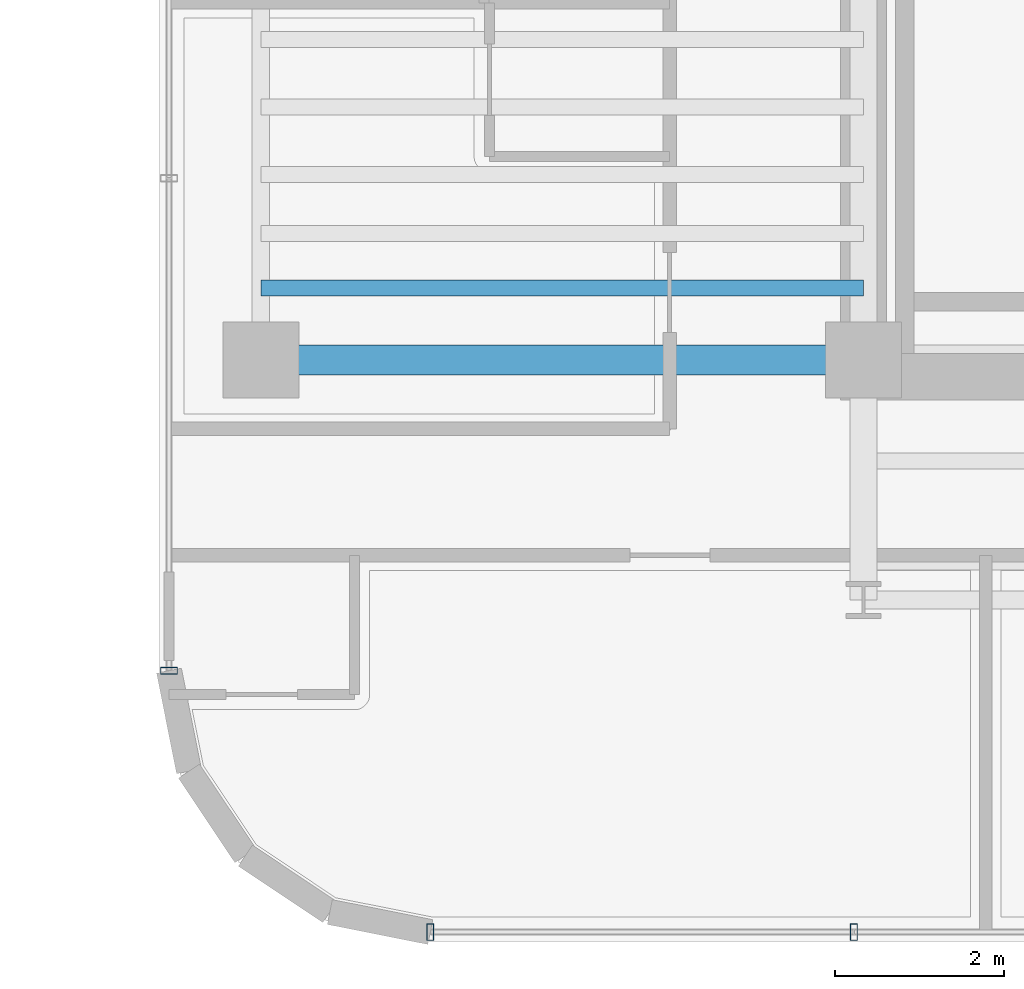
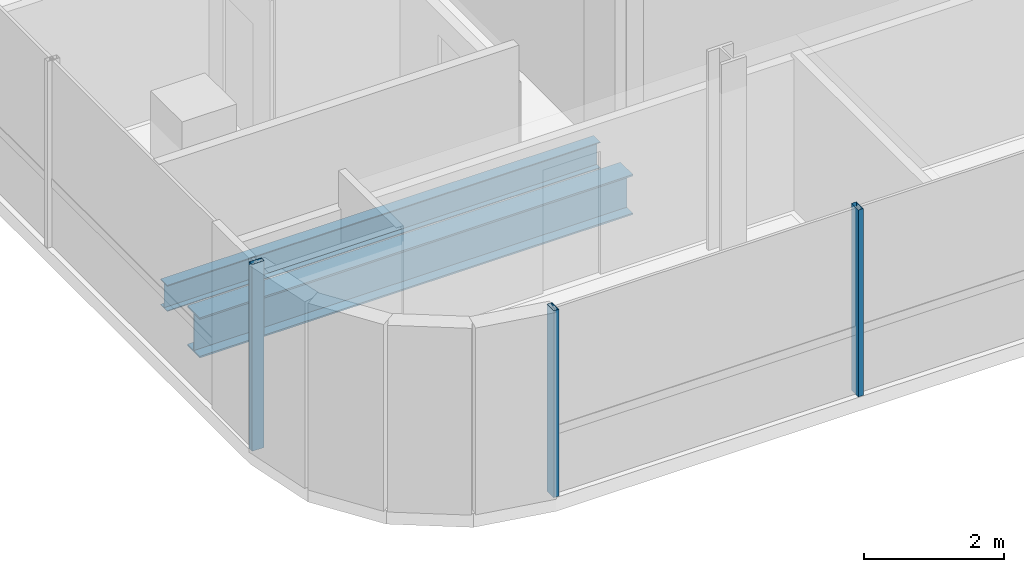
# One storey, part 2 of 22: 3 members, 2 beams, 2 elements without a shape of their own.
"""IFC4 building model written with IfcOpenShell, lengths in metres."""

from ifc_helpers import new_model, si_unit, direction, frame, origin, origin_2d, place, context, subcontext, project, spatial, hollow_rectangle, i_section, extrude, source, transform, mapped, material, material_profile, profile_set, type_object, element, aggregate, save


model = new_model("IFC4")

# Units and contexts
model_context = context("Model", 3, precision=1e-05, world=origin(), true_north=direction((0.0, 1.0)))
body_context = subcontext(model_context, "Body", "Model", "MODEL_VIEW")
ifc_project = project(units=[si_unit("LENGTHUNIT", "METRE"), si_unit("AREAUNIT", "SQUARE_METRE"), si_unit("VOLUMEUNIT", "CUBIC_METRE"), si_unit("PLANEANGLEUNIT", "RADIAN"), si_unit("MASSUNIT", "GRAM", prefix="KILO")], contexts=[model_context])

# Site, building, storey
site_placement = place(None, origin())
site = spatial("IfcSite", under=ifc_project, at=site_placement, CompositionType="ELEMENT")
building_placement = place(site_placement, origin())
building = spatial("IfcBuilding", under=site, at=building_placement, Name="Valdorenza Pilgrim Sanctuary Tower", CompositionType="ELEMENT")
storey_placement = place(building_placement, frame((0.0, 0.0, 212.5)))
storey = spatial("IfcBuildingStorey", under=building, at=storey_placement, Name="L54", CompositionType="ELEMENT", Elevation=212.5)

# Beams
ifc_material_1 = material(Name="Steel ASTM A992 Grade 50", Category="steel")
ifc_material_profile_1 = material_profile(ifc_material_1, i_section(OverallWidth=0.19091796875, OverallDepth=0.45703125, WebThickness=0.009033203125, FlangeThickness=0.014404296875, at=origin_2d()), Name="W18X50")
ifc_profile_set_1 = profile_set([ifc_material_profile_1], Name="Steel ASTM A992 Grade 50")
beam_type_1 = type_object("IfcBeamType", Name="STR-BM-JST-W18B", PredefinedType="JOIST", material=ifc_profile_set_1)
shared_shape_1 = source(origin(), body_context, "Body", "SweptSolid", [
    extrude(i_section(OverallWidth=0.19091796875, OverallDepth=0.45703125, WebThickness=0.009033203125, FlangeThickness=0.014404296875, at=origin_2d()), origin(), (0.0, 0.0, 1.0), 7.150146484375),
])
beam_1_placement = place(storey_placement, frame((-29.800048828125, -9.75, -0.468505859375), z_axis=(1.0, 0.0, 0.0), x_axis=(0.0, 1.0, 0.0)))
element("IfcBeam", 1, at=beam_1_placement, inside=storey, type_object=beam_type_1, Name="L54 Composite Floor Joist JST-WA-1", PredefinedType="JOIST", context=body_context, shape_type="MappedRepresentation", body=[
    mapped(shared_shape_1, transform((0.0, 0.0, 0.0), x_axis=(1.0, 0.0, 0.0), y_axis=(0.0, 1.0, 0.0), z_axis=(0.0, 0.0, 1.0), scale=1.0)),
])
ifc_material_profile_2 = material_profile(ifc_material_1, i_section(OverallWidth=0.35595703125, OverallDepth=0.700927734375, WebThickness=0.016845703125, FlangeThickness=0.02734375, at=origin_2d()), Name="W27X161")
ifc_profile_set_2 = profile_set([ifc_material_profile_2], Name="Steel ASTM A992 Grade 50")
beam_type_2 = type_object("IfcBeamType", Name="STR-BM-GRD-W27", PredefinedType="BEAM", material=ifc_profile_set_2)
shared_shape_2 = source(origin(), body_context, "Body", "SweptSolid", [
    extrude(i_section(OverallWidth=0.35595703125, OverallDepth=0.700927734375, WebThickness=0.016845703125, FlangeThickness=0.02734375, at=origin_2d()), origin(), (0.0, 0.0, 1.0), 7.150146484375),
])
beam_2_placement = place(storey_placement, frame((-29.800048828125, -10.60009765625, -0.590576171875), z_axis=(1.0, 0.0, 0.0), x_axis=(0.0, 1.0, 0.0)))
element("IfcBeam", 2, at=beam_2_placement, inside=storey, type_object=beam_type_2, Name="L54 Floor Girder WA-XW-S1", PredefinedType="BEAM", context=body_context, shape_type="MappedRepresentation", body=[
    mapped(shared_shape_2, transform((0.0, 0.0, 0.0), x_axis=(1.0, 0.0, 0.0), y_axis=(0.0, 1.0, 0.0), z_axis=(0.0, 0.0, 1.0), scale=1.0)),
])

# Curtain wall, member
ifc_material_2 = material(Name="Curtain-wall IGU glazing", Category="glass")
curtain_wall_type = type_object("IfcCurtainWallType", Name="CW-SYS-02", PredefinedType="NOTDEFINED", material=ifc_material_2)
curtain_wall_1_placement = place(storey_placement, origin())
curtain_wall_1 = element("IfcCurtainWall", 3, at=curtain_wall_1_placement, inside=storey, type_object=curtain_wall_type, Name="L54 Curtain Wall CW-L54-1-1S1", PredefinedType="NOTDEFINED")
ifc_material_3 = material(Name="Anodised aluminium AW-6060", Category="aluminium")
ifc_material_profile_3 = material_profile(ifc_material_3, hollow_rectangle(XDim=0.0849609375, YDim=0.199951171875, WallThickness=0.0048828125, at=origin_2d()), Name="ALU-M 200x85x5")
ifc_profile_set_3 = profile_set([ifc_material_profile_3], Name="Anodised aluminium AW-6060")
member_type = type_object("IfcMemberType", Name="CW-MUL-02", PredefinedType="MULLION", material=ifc_profile_set_3)
shared_shape_3 = source(origin(), body_context, "Body", "SweptSolid", [
    extrude(hollow_rectangle(XDim=0.0849609375, YDim=0.199951171875, WallThickness=0.0048828125, at=origin_2d()), origin(), (0.0, 0.0, 1.0), 3.260009765625),
])
member_1_placement = place(storey_placement, frame((-30.889892578125, -14.289306640625, 0.0), z_axis=(0.0, 0.0, 1.0), x_axis=(0.0, 1.0, 0.0)))
member_1 = element("IfcMember", 4, at=member_1_placement, type_object=member_type, Name="CW-L54-1-1S1 Mullion 1", PredefinedType="MULLION", context=body_context, shape_type="MappedRepresentation", body=[
    mapped(shared_shape_3, transform((0.0, 0.0, 0.0), x_axis=(1.0, 0.0, 0.0), y_axis=(0.0, 1.0, 0.0), z_axis=(0.0, 0.0, 1.0), scale=1.0)),
])
aggregate(curtain_wall_1, [member_1])

# Curtain wall, members
curtain_wall_2_placement = place(storey_placement, origin())
curtain_wall_2 = element("IfcCurtainWall", 5, at=curtain_wall_2_placement, inside=storey, type_object=curtain_wall_type, Name="L54 Curtain Wall CW-L54-1-26", PredefinedType="NOTDEFINED")
member_2_placement = place(storey_placement, frame((-22.76318359375, -17.389892578125, 0.0), z_axis=(0.0, 0.0, 1.0), x_axis=(-1.0, 0.0, 0.0)))
member_2 = element("IfcMember", 6, at=member_2_placement, type_object=member_type, Name="CW-L54-1-26 Mullion 3", PredefinedType="MULLION", context=body_context, shape_type="MappedRepresentation", body=[
    mapped(shared_shape_3, transform((0.0, 0.0, 0.0), x_axis=(1.0, 0.0, 0.0), y_axis=(0.0, 1.0, 0.0), z_axis=(0.0, 0.0, 1.0), scale=1.0)),
])
member_3_placement = place(storey_placement, frame((-27.789306640625, -17.389892578125, 0.0), z_axis=(0.0, 0.0, 1.0), x_axis=(-1.0, 0.0, 0.0)))
member_3 = element("IfcMember", 7, at=member_3_placement, type_object=member_type, Name="CW-L54-1-26 Mullion 4", PredefinedType="MULLION", context=body_context, shape_type="MappedRepresentation", body=[
    mapped(shared_shape_3, transform((0.0, 0.0, 0.0), x_axis=(1.0, 0.0, 0.0), y_axis=(0.0, 1.0, 0.0), z_axis=(0.0, 0.0, 1.0), scale=1.0)),
])
aggregate(curtain_wall_2, [member_2, member_3])

save(model, "model.ifc")
